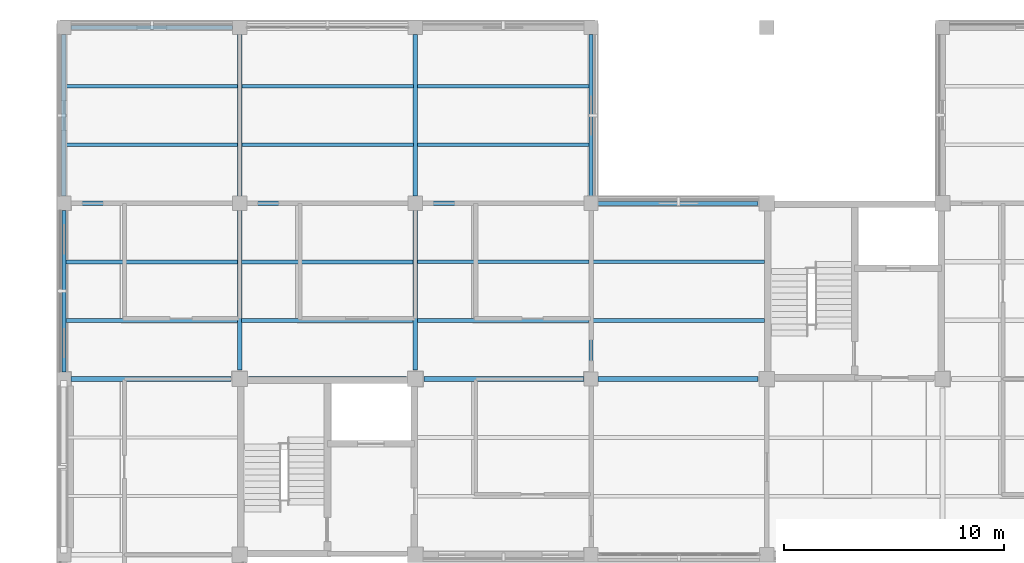
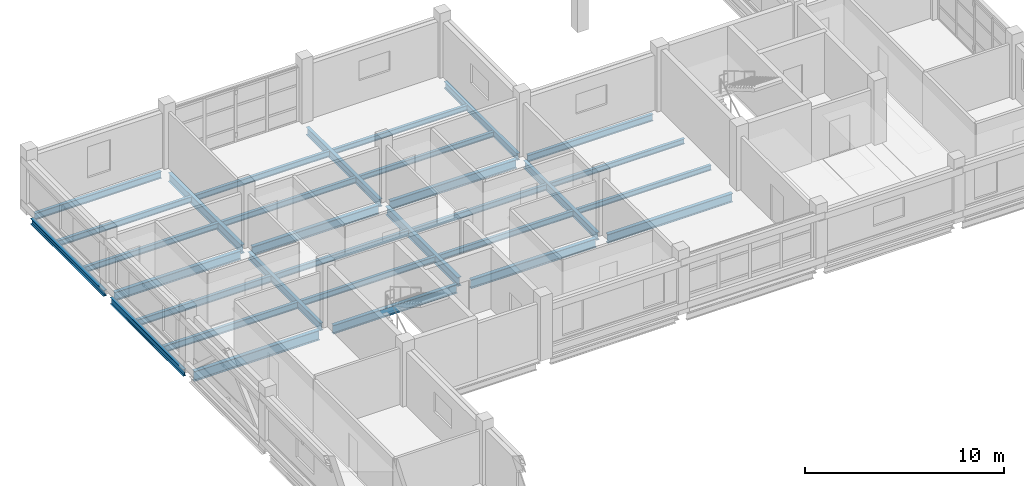
# One storey, part 31 of 107: 31 beams.
"""IFC4 building model written with IfcOpenShell, lengths in metres."""

from ifc_helpers import new_model, si_unit, derived_unit, direction, frame, origin, origin_2d, place, context, subcontext, project, spatial, i_section, extrude, material, material_profile, profile_set, type_object, element, save


model = new_model("IFC4")

# Units and contexts
model_context = context("Model", 3, precision=1e-05, world=origin(), true_north=direction((0.0, 1.0)))
body_context = subcontext(model_context, "Body", "Model", "MODEL_VIEW")
ifc_project = project(units=[si_unit("LENGTHUNIT", "METRE"), si_unit("AREAUNIT", "SQUARE_METRE"), si_unit("VOLUMEUNIT", "CUBIC_METRE"), si_unit("PLANEANGLEUNIT", "RADIAN"), si_unit("MASSUNIT", "GRAM", prefix="KILO"), derived_unit("THERMALTRANSMITTANCEUNIT", [(si_unit("MASSUNIT", "GRAM", prefix="KILO"), 1), (si_unit("TIMEUNIT", "SECOND"), -3), (si_unit("THERMODYNAMICTEMPERATUREUNIT", "KELVIN"), -1)])], contexts=[model_context])

# Site, building, storey
site_placement = place(None, origin())
site = spatial("IfcSite", under=ifc_project, at=site_placement, CompositionType="ELEMENT")
building_placement = place(site_placement, origin())
building = spatial("IfcBuilding", under=site, at=building_placement, Name="Veyamyaing Civic Hall", CompositionType="ELEMENT")
storey_placement = place(building_placement, frame((0.0, 0.0, 13.860107421875)))
storey = spatial("IfcBuildingStorey", under=building, at=storey_placement, Name="L03", CompositionType="ELEMENT", Elevation=13.860107421875)

# Beams
ifc_material = material(Name="Steel ASTM A992", Category="steel")
ifc_material_profile_1 = material_profile(ifc_material, i_section(OverallWidth=0.22802734375, OverallDepth=0.60791015625, WebThickness=0.01123046875, FlangeThickness=0.017333984375, FilletRadius=0.012939453125, at=origin_2d()), Name="W610X113")
ifc_profile_set_1 = profile_set([ifc_material_profile_1], Name="Steel ASTM A992")
beam_type_1 = type_object("IfcBeamType", Name="B-06", PredefinedType="BEAM", material=ifc_profile_set_1)
beam_1_placement = place(storey_placement, frame((0.324951171875, 96.0, -0.55908203125), z_axis=(1.0, 0.0, 0.0), x_axis=(0.0, 1.0, 0.0)))
element("IfcBeam", 1, at=beam_1_placement, inside=storey, type_object=beam_type_1, Name="Girder B-06 L03 Grid N 1-2", PredefinedType="BEAM", context=body_context, shape_type="SweptSolid", body=[
    extrude(i_section(OverallWidth=0.22802734375, OverallDepth=0.60791015625, WebThickness=0.01123046875, FlangeThickness=0.017333984375, FilletRadius=0.012939453125, at=origin_2d()), origin(), (0.0, 0.0, 1.0), 7.275146484375),
])
ifc_material_profile_2 = material_profile(ifc_material, i_section(OverallWidth=0.208984375, OverallDepth=0.532958984375, WebThickness=0.01025390625, FlangeThickness=0.015625, FilletRadius=0.011962890625, at=origin_2d()), Name="W530X92")
ifc_profile_set_2 = profile_set([ifc_material_profile_2], Name="Steel ASTM A992")
beam_type_2 = type_object("IfcBeamType", Name="B-07", PredefinedType="BEAM", material=ifc_profile_set_2)
beam_2_placement = place(storey_placement, frame((8.39990234375, 96.0, -0.521728515625), z_axis=(1.0, 0.0, 0.0), x_axis=(0.0, 1.0, 0.0)))
element("IfcBeam", 2, at=beam_2_placement, inside=storey, type_object=beam_type_2, Name="Girder B-07 L03 Grid N 2-3", PredefinedType="BEAM", context=body_context, shape_type="SweptSolid", body=[
    extrude(i_section(OverallWidth=0.208984375, OverallDepth=0.532958984375, WebThickness=0.01025390625, FlangeThickness=0.015625, FilletRadius=0.011962890625, at=origin_2d()), origin(), (0.0, 0.0, 1.0), 7.2001953125),
])
beam_3_placement = place(storey_placement, frame((0.324951171875, 104.0, -0.521728515625), z_axis=(1.0, 0.0, 0.0), x_axis=(0.0, 1.0, 0.0)))
element("IfcBeam", 3, at=beam_3_placement, inside=storey, type_object=beam_type_2, Name="Girder B-07 L03 Grid P 1-2", PredefinedType="BEAM", context=body_context, shape_type="SweptSolid", body=[
    extrude(i_section(OverallWidth=0.208984375, OverallDepth=0.532958984375, WebThickness=0.01025390625, FlangeThickness=0.015625, FilletRadius=0.011962890625, at=origin_2d()), origin(), (0.0, 0.0, 1.0), 7.35009765625),
])
ifc_material_profile_3 = material_profile(ifc_material, i_section(OverallWidth=0.19189453125, OverallDepth=0.462890625, WebThickness=0.010498046875, FlangeThickness=0.017578125, FilletRadius=0.010009765625, at=origin_2d()), Name="W460X89")
ifc_profile_set_3 = profile_set([ifc_material_profile_3], Name="Steel ASTM A992")
beam_type_3 = type_object("IfcBeamType", Name="B-08", PredefinedType="BEAM", material=ifc_profile_set_3)
beam_4_placement = place(storey_placement, frame((8.0, 96.39990234375, -0.486572265625), z_axis=(0.0, 1.0, 0.0), x_axis=(-1.0, 0.0, 0.0)))
element("IfcBeam", 4, at=beam_4_placement, inside=storey, type_object=beam_type_3, Name="Girder B-08 L03 Grid 2 N-P", PredefinedType="BEAM", context=body_context, shape_type="SweptSolid", body=[
    extrude(i_section(OverallWidth=0.19189453125, OverallDepth=0.462890625, WebThickness=0.010498046875, FlangeThickness=0.017578125, FilletRadius=0.010009765625, at=origin_2d()), origin(), (0.0, 0.0, 1.0), 7.275146484375),
])
ifc_material_profile_4 = material_profile(ifc_material, i_section(OverallWidth=0.179931640625, OverallDepth=0.4130859375, WebThickness=0.009765625, FlangeThickness=0.01611328125, FilletRadius=0.010009765625, at=origin_2d()), Name="W410X74")
ifc_profile_set_4 = profile_set([ifc_material_profile_4], Name="Steel ASTM A992")
beam_type_4 = type_object("IfcBeamType", Name="B-10", PredefinedType="SPANDREL", material=ifc_profile_set_4)
beam_5_placement = place(storey_placement, frame((24.324951171875, 104.0, -0.461669921875), z_axis=(1.0, 0.0, 0.0), x_axis=(0.0, 1.0, 0.0)))
element("IfcBeam", 5, at=beam_5_placement, inside=storey, type_object=beam_type_4, Name="Girder B-10 L03 Grid P 4-5", PredefinedType="SPANDREL", context=body_context, shape_type="SweptSolid", body=[
    extrude(i_section(OverallWidth=0.179931640625, OverallDepth=0.4130859375, WebThickness=0.009765625, FlangeThickness=0.01611328125, FilletRadius=0.010009765625, at=origin_2d()), origin(), (0.0, 0.0, 1.0), 7.275146484375),
])
for number, where, z_axis, x_axis, name in (
    (6, (0.0, 96.324951171875, -0.461669921875), (0.0, 1.0, 0.0), (-1.0, 0.0, 0.0), "Girder B-10 L03 Grid 1 N-P"),
    (7, (24.0, 104.324951171875, -0.461669921875), (0.0, 1.0, 0.0), (-1.0, 0.0, 0.0), "Girder B-10 L03 Grid 4 P-Q"),
):
    element("IfcBeam", number, at=place(storey_placement, frame(where, z_axis=z_axis, x_axis=x_axis)), inside=storey, type_object=beam_type_4, Name=name, PredefinedType="SPANDREL", context=body_context, shape_type="SweptSolid", body=[
        extrude(i_section(OverallWidth=0.179931640625, OverallDepth=0.4130859375, WebThickness=0.009765625, FlangeThickness=0.01611328125, FilletRadius=0.010009765625, at=origin_2d()), origin(), (0.0, 0.0, 1.0), 7.35009765625),
    ])
ifc_material_profile_5 = material_profile(ifc_material, i_section(OverallWidth=0.2041015625, OverallDepth=0.35009765625, WebThickness=0.0078125, FlangeThickness=0.01513671875, FilletRadius=0.010009765625, at=origin_2d()), Name="W360X72")
ifc_profile_set_5 = profile_set([ifc_material_profile_5], Name="Steel ASTM A992")
beam_type_5 = type_object("IfcBeamType", Name="B-11", PredefinedType="SPANDREL", material=ifc_profile_set_5)
beam_6_placement = place(storey_placement, frame((0.0, 104.324951171875, -0.43017578125), z_axis=(0.0, 1.0, 0.0), x_axis=(-1.0, 0.0, 0.0)))
element("IfcBeam", 8, at=beam_6_placement, inside=storey, type_object=beam_type_5, Name="Girder B-11 L03 Grid 1 P-Q", PredefinedType="SPANDREL", context=body_context, shape_type="SweptSolid", body=[
    extrude(i_section(OverallWidth=0.2041015625, OverallDepth=0.35009765625, WebThickness=0.0078125, FlangeThickness=0.01513671875, FilletRadius=0.010009765625, at=origin_2d()), origin(), (0.0, 0.0, 1.0), 7.35009765625),
])
ifc_material_profile_6 = material_profile(ifc_material, i_section(OverallWidth=0.214111328125, OverallDepth=0.549072265625, WebThickness=0.0146484375, FlangeThickness=0.023681640625, FilletRadius=0.011962890625, at=origin_2d()), Name="W530X138")
ifc_profile_set_6 = profile_set([ifc_material_profile_6], Name="Steel ASTM A992")
beam_type_6 = type_object("IfcBeamType", Name="B-16", PredefinedType="BEAM", material=ifc_profile_set_6)
beam_7_placement = place(storey_placement, frame((16.39990234375, 96.0, -0.529541015625), z_axis=(1.0, 0.0, 0.0), x_axis=(0.0, 1.0, 0.0)))
element("IfcBeam", 9, at=beam_7_placement, inside=storey, type_object=beam_type_6, Name="Girder B-16 L03 Grid N 3-4", PredefinedType="BEAM", context=body_context, shape_type="SweptSolid", body=[
    extrude(i_section(OverallWidth=0.214111328125, OverallDepth=0.549072265625, WebThickness=0.0146484375, FlangeThickness=0.023681640625, FilletRadius=0.011962890625, at=origin_2d()), origin(), (0.0, 0.0, 1.0), 7.275146484375),
])
beam_8_placement = place(storey_placement, frame((8.324951171875, 104.0, -0.529541015625), z_axis=(1.0, 0.0, 0.0), x_axis=(0.0, 1.0, 0.0)))
element("IfcBeam", 10, at=beam_8_placement, inside=storey, type_object=beam_type_6, Name="Girder B-16 L03 Grid P 2-3", PredefinedType="BEAM", context=body_context, shape_type="SweptSolid", body=[
    extrude(i_section(OverallWidth=0.214111328125, OverallDepth=0.549072265625, WebThickness=0.0146484375, FlangeThickness=0.023681640625, FilletRadius=0.011962890625, at=origin_2d()), origin(), (0.0, 0.0, 1.0), 7.35009765625),
])
ifc_material_profile_7 = material_profile(ifc_material, i_section(OverallWidth=0.2109375, OverallDepth=0.5390625, WebThickness=0.01171875, FlangeThickness=0.018798828125, FilletRadius=0.011962890625, at=origin_2d()), Name="W530X109")
ifc_profile_set_7 = profile_set([ifc_material_profile_7], Name="Steel ASTM A992")
beam_type_7 = type_object("IfcBeamType", Name="B-17", PredefinedType="BEAM", material=ifc_profile_set_7)
beam_9_placement = place(storey_placement, frame((24.324951171875, 96.0, -0.524658203125), z_axis=(1.0, 0.0, 0.0), x_axis=(0.0, 1.0, 0.0)))
element("IfcBeam", 11, at=beam_9_placement, inside=storey, type_object=beam_type_7, Name="Girder B-17 L03 Grid N 4-5", PredefinedType="BEAM", context=body_context, shape_type="SweptSolid", body=[
    extrude(i_section(OverallWidth=0.2109375, OverallDepth=0.5390625, WebThickness=0.01171875, FlangeThickness=0.018798828125, FilletRadius=0.011962890625, at=origin_2d()), origin(), (0.0, 0.0, 1.0), 7.275146484375),
])
for number, where, z_axis, x_axis, name in (
    (12, (16.324951171875, 104.0, -0.524658203125), (1.0, 0.0, 0.0), (0.0, 1.0, 0.0), "Girder B-17 L03 Grid P 3-4"),
    (13, (8.0, 104.324951171875, -0.524658203125), (0.0, 1.0, 0.0), (-1.0, 0.0, 0.0), "Girder B-17 L03 Grid 2 P-Q"),
):
    element("IfcBeam", number, at=place(storey_placement, frame(where, z_axis=z_axis, x_axis=x_axis)), inside=storey, type_object=beam_type_7, Name=name, PredefinedType="BEAM", context=body_context, shape_type="SweptSolid", body=[
        extrude(i_section(OverallWidth=0.2109375, OverallDepth=0.5390625, WebThickness=0.01171875, FlangeThickness=0.018798828125, FilletRadius=0.011962890625, at=origin_2d()), origin(), (0.0, 0.0, 1.0), 7.35009765625),
    ])
beam_10_placement = place(storey_placement, frame((16.0, 96.39990234375, -0.524658203125), z_axis=(0.0, 1.0, 0.0), x_axis=(-1.0, 0.0, 0.0)))
element("IfcBeam", 14, at=beam_10_placement, inside=storey, type_object=beam_type_7, Name="Girder B-17 L03 Grid 3 N-P", PredefinedType="BEAM", context=body_context, shape_type="SweptSolid", body=[
    extrude(i_section(OverallWidth=0.2109375, OverallDepth=0.5390625, WebThickness=0.01171875, FlangeThickness=0.018798828125, FilletRadius=0.011962890625, at=origin_2d()), origin(), (0.0, 0.0, 1.0), 7.275146484375),
])
ifc_material_profile_8 = material_profile(ifc_material, i_section(OverallWidth=0.194091796875, OverallDepth=0.468994140625, WebThickness=0.0126953125, FlangeThickness=0.0205078125, FilletRadius=0.010009765625, at=origin_2d()), Name="W460X106")
ifc_profile_set_8 = profile_set([ifc_material_profile_8], Name="Steel ASTM A992")
beam_type_8 = type_object("IfcBeamType", Name="B-18", PredefinedType="BEAM", material=ifc_profile_set_8)
for number, where, z_axis, x_axis, name in (
    (15, (16.0, 104.324951171875, -0.489501953125), (0.0, 1.0, 0.0), (-1.0, 0.0, 0.0), "Girder B-18 L03 Grid 3 P-Q"),
    (16, (24.0, 96.324951171875, -0.489501953125), (0.0, 1.0, 0.0), (-1.0, 0.0, 0.0), "Girder B-18 L03 Grid 4 N-P"),
):
    element("IfcBeam", number, at=place(storey_placement, frame(where, z_axis=z_axis, x_axis=x_axis)), inside=storey, type_object=beam_type_8, Name=name, PredefinedType="BEAM", context=body_context, shape_type="SweptSolid", body=[
        extrude(i_section(OverallWidth=0.194091796875, OverallDepth=0.468994140625, WebThickness=0.0126953125, FlangeThickness=0.0205078125, FilletRadius=0.010009765625, at=origin_2d()), origin(), (0.0, 0.0, 1.0), 7.35009765625),
    ])
ifc_material_profile_9 = material_profile(ifc_material, i_section(OverallWidth=0.180908203125, OverallDepth=0.4169921875, WebThickness=0.010986328125, FlangeThickness=0.018310546875, FilletRadius=0.010009765625, at=origin_2d()), Name="W410X85")
ifc_profile_set_9 = profile_set([ifc_material_profile_9], Name="Steel ASTM A992")
beam_type_9 = type_object("IfcBeamType", Name="B-19", PredefinedType="SPANDREL", material=ifc_profile_set_9)
beam_11_placement = place(storey_placement, frame((0.324951171875, 112.0, -0.463623046875), z_axis=(1.0, 0.0, 0.0), x_axis=(0.0, 1.0, 0.0)))
element("IfcBeam", 17, at=beam_11_placement, inside=storey, type_object=beam_type_9, Name="Girder B-19 L03 Grid Q 1-2", PredefinedType="SPANDREL", context=body_context, shape_type="SweptSolid", body=[
    extrude(i_section(OverallWidth=0.180908203125, OverallDepth=0.4169921875, WebThickness=0.010986328125, FlangeThickness=0.018310546875, FilletRadius=0.010009765625, at=origin_2d()), origin(), (0.0, 0.0, 1.0), 7.35009765625),
])
ifc_material_profile_10 = material_profile(ifc_material, i_section(OverallWidth=0.177978515625, OverallDepth=0.406982421875, WebThickness=0.0078125, FlangeThickness=0.0126953125, FilletRadius=0.010009765625, at=origin_2d()), Name="W410X60")
ifc_profile_set_10 = profile_set([ifc_material_profile_10], Name="Steel ASTM A992")
beam_type_10 = type_object("IfcBeamType", Name="J-01", PredefinedType="JOIST", material=ifc_profile_set_10)
for number, where, z_axis, x_axis, name in (
    (18, (0.087890625, 98.666748046875, -0.45849609375), (1.0, 0.0, 0.0), (0.0, 1.0, 0.0), "Composite floor joist J-01 L03 1.13.1"),
    (19, (0.087890625, 101.333251953125, -0.45849609375), (1.0, 0.0, 0.0), (0.0, 1.0, 0.0), "Composite floor joist J-01 L03 1.13.2"),
):
    element("IfcBeam", number, at=place(storey_placement, frame(where, z_axis=z_axis, x_axis=x_axis)), inside=storey, type_object=beam_type_10, Name=name, PredefinedType="JOIST", context=body_context, shape_type="SweptSolid", body=[
        extrude(i_section(OverallWidth=0.177978515625, OverallDepth=0.406982421875, WebThickness=0.0078125, FlangeThickness=0.0126953125, FilletRadius=0.010009765625, at=origin_2d()), origin(), (0.0, 0.0, 1.0), 7.818115234375),
    ])
ifc_material_profile_11 = material_profile(ifc_material, i_section(OverallWidth=0.172119140625, OverallDepth=0.35791015625, WebThickness=0.0078125, FlangeThickness=0.01318359375, FilletRadius=0.010009765625, at=origin_2d()), Name="W360X57")
ifc_profile_set_11 = profile_set([ifc_material_profile_11], Name="Steel ASTM A992")
beam_type_11 = type_object("IfcBeamType", Name="J-02", PredefinedType="JOIST", material=ifc_profile_set_11)
for number, where, z_axis, x_axis, name in (
    (20, (0.10009765625, 106.666748046875, -0.43408203125), (1.0, 0.0, 0.0), (0.0, 1.0, 0.0), "Composite floor joist J-02 L03 1.14.1"),
    (21, (0.10009765625, 109.333251953125, -0.43408203125), (1.0, 0.0, 0.0), (0.0, 1.0, 0.0), "Composite floor joist J-02 L03 1.14.2"),
):
    element("IfcBeam", number, at=place(storey_placement, frame(where, z_axis=z_axis, x_axis=x_axis)), inside=storey, type_object=beam_type_11, Name=name, PredefinedType="JOIST", context=body_context, shape_type="SweptSolid", body=[
        extrude(i_section(OverallWidth=0.172119140625, OverallDepth=0.35791015625, WebThickness=0.0078125, FlangeThickness=0.01318359375, FilletRadius=0.010009765625, at=origin_2d()), origin(), (0.0, 0.0, 1.0), 7.79638671875),
    ])
for number, where, z_axis, x_axis, name in (
    (22, (8.093994140625, 98.666748046875, -0.43408203125), (1.0, 0.0, 0.0), (0.0, 1.0, 0.0), "Composite floor joist J-02 L03 2.13.1"),
    (23, (8.093994140625, 101.333251953125, -0.43408203125), (1.0, 0.0, 0.0), (0.0, 1.0, 0.0), "Composite floor joist J-02 L03 2.13.2"),
):
    element("IfcBeam", number, at=place(storey_placement, frame(where, z_axis=z_axis, x_axis=x_axis)), inside=storey, type_object=beam_type_11, Name=name, PredefinedType="JOIST", context=body_context, shape_type="SweptSolid", body=[
        extrude(i_section(OverallWidth=0.172119140625, OverallDepth=0.35791015625, WebThickness=0.0078125, FlangeThickness=0.01318359375, FilletRadius=0.010009765625, at=origin_2d()), origin(), (0.0, 0.0, 1.0), 7.802490234375),
    ])
ifc_material_profile_12 = material_profile(ifc_material, i_section(OverallWidth=0.1708984375, OverallDepth=0.35205078125, WebThickness=0.0068359375, FlangeThickness=0.009765625, FilletRadius=0.010009765625, at=origin_2d()), Name="W360X44")
ifc_profile_set_12 = profile_set([ifc_material_profile_12], Name="Steel ASTM A992")
beam_type_12 = type_object("IfcBeamType", Name="J-03", PredefinedType="JOIST", material=ifc_profile_set_12)
for number, where, z_axis, x_axis, name in (
    (24, (8.103515625, 106.666748046875, -0.43115234375), (1.0, 0.0, 0.0), (0.0, 1.0, 0.0), "Composite floor joist J-03 L03 2.14.1"),
    (25, (8.103515625, 109.333251953125, -0.43115234375), (1.0, 0.0, 0.0), (0.0, 1.0, 0.0), "Composite floor joist J-03 L03 2.14.2"),
    (26, (16.103515625, 98.666748046875, -0.43115234375), (1.0, 0.0, 0.0), (0.0, 1.0, 0.0), "Composite floor joist J-03 L03 3.13.1"),
    (27, (16.103515625, 101.333251953125, -0.43115234375), (1.0, 0.0, 0.0), (0.0, 1.0, 0.0), "Composite floor joist J-03 L03 3.13.2"),
):
    element("IfcBeam", number, at=place(storey_placement, frame(where, z_axis=z_axis, x_axis=x_axis)), inside=storey, type_object=beam_type_12, Name=name, PredefinedType="JOIST", context=body_context, shape_type="SweptSolid", body=[
        extrude(i_section(OverallWidth=0.1708984375, OverallDepth=0.35205078125, WebThickness=0.0068359375, FlangeThickness=0.009765625, FilletRadius=0.010009765625, at=origin_2d()), origin(), (0.0, 0.0, 1.0), 7.801513671875),
    ])
ifc_material_profile_13 = material_profile(ifc_material, i_section(OverallWidth=0.1669921875, OverallDepth=0.318115234375, WebThickness=0.007568359375, FlangeThickness=0.01318359375, FilletRadius=0.010009765625, at=origin_2d()), Name="W310X52")
ifc_profile_set_13 = profile_set([ifc_material_profile_13], Name="Steel ASTM A992")
beam_type_13 = type_object("IfcBeamType", Name="J-04", PredefinedType="JOIST", material=ifc_profile_set_13)
for number, where, z_axis, x_axis, name in (
    (28, (16.094970703125, 106.666748046875, -0.4140625), (1.0, 0.0, 0.0), (0.0, 1.0, 0.0), "Composite floor joist J-04 L03 3.14.1"),
    (29, (16.094970703125, 109.333251953125, -0.4140625), (1.0, 0.0, 0.0), (0.0, 1.0, 0.0), "Composite floor joist J-04 L03 3.14.2"),
):
    element("IfcBeam", number, at=place(storey_placement, frame(where, z_axis=z_axis, x_axis=x_axis)), inside=storey, type_object=beam_type_13, Name=name, PredefinedType="JOIST", context=body_context, shape_type="SweptSolid", body=[
        extrude(i_section(OverallWidth=0.1669921875, OverallDepth=0.318115234375, WebThickness=0.007568359375, FlangeThickness=0.01318359375, FilletRadius=0.010009765625, at=origin_2d()), origin(), (0.0, 0.0, 1.0), 7.817138671875),
    ])
for number, where, z_axis, x_axis, name in (
    (30, (24.094970703125, 98.666748046875, -0.4140625), (1.0, 0.0, 0.0), (0.0, 1.0, 0.0), "Composite floor joist J-04 L03 4.13.1"),
    (31, (24.094970703125, 101.333251953125, -0.4140625), (1.0, 0.0, 0.0), (0.0, 1.0, 0.0), "Composite floor joist J-04 L03 4.13.2"),
):
    element("IfcBeam", number, at=place(storey_placement, frame(where, z_axis=z_axis, x_axis=x_axis)), inside=storey, type_object=beam_type_13, Name=name, PredefinedType="JOIST", context=body_context, shape_type="SweptSolid", body=[
        extrude(i_section(OverallWidth=0.1669921875, OverallDepth=0.318115234375, WebThickness=0.007568359375, FlangeThickness=0.01318359375, FilletRadius=0.010009765625, at=origin_2d()), origin(), (0.0, 0.0, 1.0), 7.802490234375),
    ])

save(model, "model.ifc")
